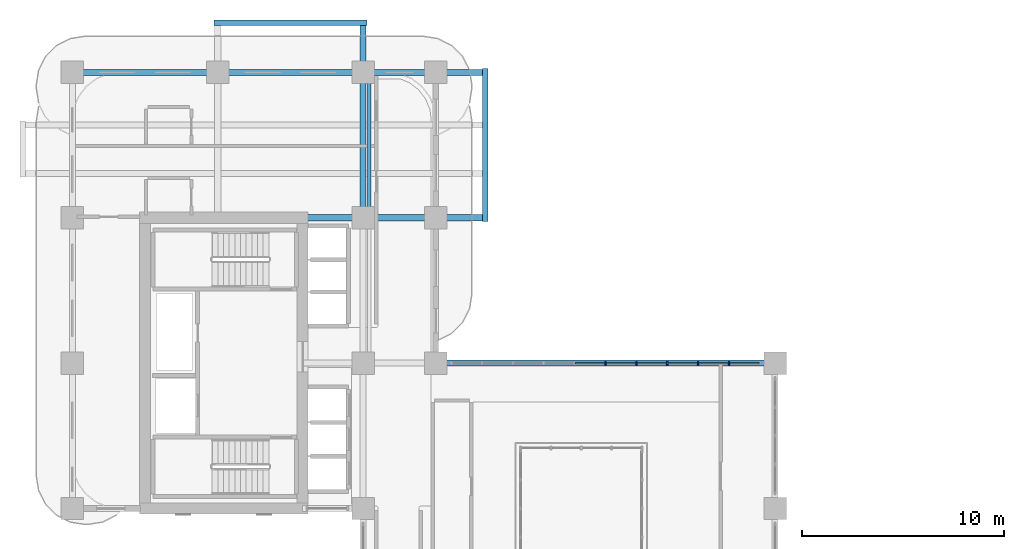
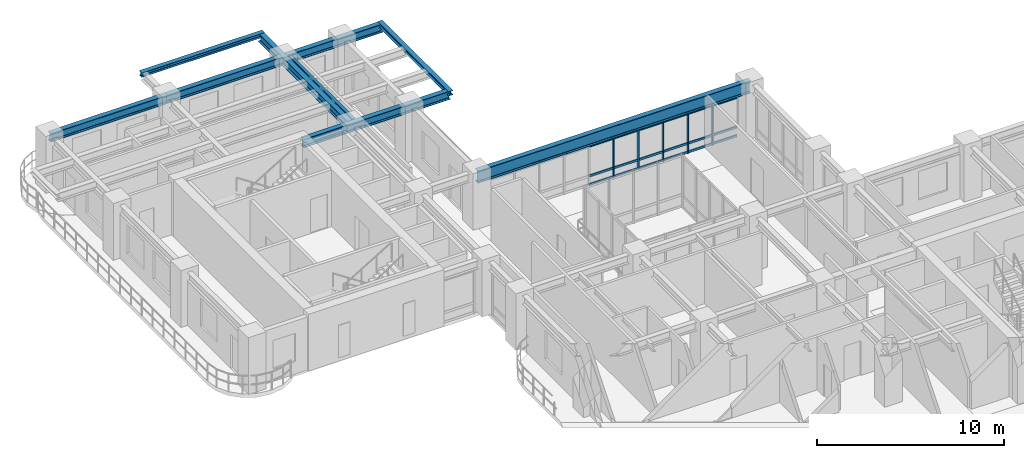
# One storey, part 7 of 22: 23 members, 8 beams, 1 element without a shape of its own.
"""IFC4 building model written with IfcOpenShell, lengths in metres."""

from ifc_helpers import new_model, si_unit, derived_unit, direction, frame, origin, origin_2d, place, context, subcontext, project, spatial, rectangle, i_section, extrude, source, transform, mapped, material, layer, layer_set, material_profile, profile_set, type_object, type_shapes, element, aggregate, save


model = new_model("IFC4")

# Units and contexts
model_context = context("Model", 3, precision=1e-05, world=origin(), true_north=direction((0.0, 1.0)))
body_context = subcontext(model_context, "Body", "Model", "MODEL_VIEW")
ifc_project = project(units=[si_unit("LENGTHUNIT", "METRE"), si_unit("AREAUNIT", "SQUARE_METRE"), si_unit("VOLUMEUNIT", "CUBIC_METRE"), si_unit("PLANEANGLEUNIT", "RADIAN"), si_unit("MASSUNIT", "GRAM", prefix="KILO"), si_unit("THERMODYNAMICTEMPERATUREUNIT", "KELVIN"), si_unit("POWERUNIT", "WATT"), derived_unit("THERMALTRANSMITTANCEUNIT", [(si_unit("POWERUNIT", "WATT"), 1), (si_unit("AREAUNIT", "SQUARE_METRE"), -1), (si_unit("THERMODYNAMICTEMPERATUREUNIT", "KELVIN"), -1)])], contexts=[model_context])

# Site, building, storey
site_placement = place(None, origin())
site = spatial("IfcSite", under=ifc_project, at=site_placement, CompositionType="ELEMENT")
building_placement = place(site_placement, origin())
building = spatial("IfcBuilding", under=site, at=building_placement, Name="Zahravan Archway Hotel and Residences", CompositionType="ELEMENT")
storey_placement = place(building_placement, frame((0.0, 0.0, 87.89990234375)))
storey = spatial("IfcBuildingStorey", under=building, at=storey_placement, Name="L21", CompositionType="ELEMENT", Elevation=87.89990234375)

# Beams
ifc_material_1 = material(Name="Structural Steel S355JR", Category="steel")
ifc_material_profile_1 = material_profile(ifc_material_1, i_section(OverallWidth=0.280029296875, OverallDepth=0.280029296875, WebThickness=0.010498046875, FlangeThickness=0.01806640625, FilletRadius=0.02392578125, at=origin_2d()), Name="HEB 280", Category="steel")
ifc_profile_set_1 = profile_set([ifc_material_profile_1], Name="Structural Steel S355JR")
beam_type_1 = type_object("IfcBeamType", Name="BM-SPN-HEB280", PredefinedType="SPANDREL", material=ifc_profile_set_1)
shared_shape_1 = source(origin(), body_context, "Body", "SweptSolid", [
    extrude(i_section(OverallWidth=0.280029296875, OverallDepth=0.280029296875, WebThickness=0.010498046875, FlangeThickness=0.01806640625, FilletRadius=0.02392578125, at=origin_2d()), origin(), (0.0, 0.0, 1.0), 7.56005859375),
])
type_shapes(beam_type_1, [shared_shape_1])
for number, where, z_axis, x_axis, name in (
    (1, (20.449951171875, 39.419921875, 3.31005859375), (0.0, 1.0, 0.0), (-1.0, 0.0, 0.0), "L22 EB Balcony Edge Spandrel"),
    (2, (7.02001953125, 49.25, 3.31005859375), (1.0, 0.0, 0.0), (0.0, 1.0, 0.0), "L22 NB Balcony Edge Spandrel"),
):
    element("IfcBeam", number, at=place(storey_placement, frame(where, z_axis=z_axis, x_axis=x_axis)), inside=storey, type_object=beam_type_1, Name=name, PredefinedType="SPANDREL", context=body_context, shape_type="MappedRepresentation", body=[
        mapped(shared_shape_1, transform((0.0, 0.0, 0.0), scale=1.0)),
    ])
ifc_material_profile_2 = material_profile(ifc_material_1, i_section(OverallWidth=0.300048828125, OverallDepth=0.550048828125, WebThickness=0.014892578125, FlangeThickness=0.029052734375, FilletRadius=0.027099609375, at=origin_2d()), Name="HEB 550", Category="steel")
ifc_profile_set_2 = profile_set([ifc_material_profile_2], Name="Structural Steel S355JR")
beam_type_2 = type_object("IfcBeamType", Name="BM-PRI-HEB550", PredefinedType="BEAM", material=ifc_profile_set_2)
shared_shape_2 = source(origin(), body_context, "Body", "SweptSolid", [
    extrude(i_section(OverallWidth=0.300048828125, OverallDepth=0.550048828125, WebThickness=0.014892578125, FlangeThickness=0.029052734375, FilletRadius=0.027099609375, at=origin_2d()), origin(), (0.0, 0.0, 1.0), 7.199951171875),
])
beam_1_placement = place(storey_placement, frame((0.0, 46.800048828125, 3.175048828125), z_axis=(1.0, 0.0, 0.0), x_axis=(0.0, 1.0, 0.0)))
element("IfcBeam", 3, at=beam_1_placement, inside=storey, type_object=beam_type_2, Name="L21 Primary Girder EW-24", PredefinedType="BEAM", context=body_context, shape_type="MappedRepresentation", body=[
    mapped(shared_shape_2, transform((0.0, 0.0, 0.0), scale=1.0)),
])
shared_shape_3 = source(origin(), body_context, "Body", "SweptSolid", [
    extrude(i_section(OverallWidth=0.300048828125, OverallDepth=0.550048828125, WebThickness=0.014892578125, FlangeThickness=0.029052734375, FilletRadius=0.027099609375, at=origin_2d()), origin(), (0.0, 0.0, 1.0), 9.050048828125),
])
beam_2_placement = place(storey_placement, frame((11.39990234375, 39.60009765625, 3.175048828125), z_axis=(1.0, 0.0, 0.0), x_axis=(0.0, 1.0, 0.0)))
element("IfcBeam", 4, at=beam_2_placement, inside=storey, type_object=beam_type_2, Name="L21 Primary Girder EW-23", PredefinedType="BEAM", context=body_context, shape_type="MappedRepresentation", body=[
    mapped(shared_shape_3, transform((0.0, 0.0, 0.0), scale=1.0)),
])
shared_shape_4 = source(origin(), body_context, "Body", "SweptSolid", [
    extrude(i_section(OverallWidth=0.300048828125, OverallDepth=0.550048828125, WebThickness=0.014892578125, FlangeThickness=0.029052734375, FilletRadius=0.027099609375, at=origin_2d()), origin(), (0.0, 0.0, 1.0), 13.25),
])
beam_3_placement = place(storey_placement, frame((7.199951171875, 46.800048828125, 3.175048828125), z_axis=(1.0, 0.0, 0.0), x_axis=(0.0, 1.0, 0.0)))
element("IfcBeam", 5, at=beam_3_placement, inside=storey, type_object=beam_type_2, Name="L21 Primary Girder EW-25", PredefinedType="BEAM", context=body_context, shape_type="MappedRepresentation", body=[
    mapped(shared_shape_4, transform((0.0, 0.0, 0.0), scale=1.0)),
])
shared_shape_5 = source(origin(), body_context, "Body", "SweptSolid", [
    extrude(i_section(OverallWidth=0.300048828125, OverallDepth=0.550048828125, WebThickness=0.014892578125, FlangeThickness=0.029052734375, FilletRadius=0.027099609375, at=origin_2d()), origin(), (0.0, 0.0, 1.0), 9.64990234375),
])
beam_4_placement = place(storey_placement, frame((14.39990234375, 39.60009765625, 3.175048828125), z_axis=(0.0, 1.0, 0.0), x_axis=(-1.0, 0.0, 0.0)))
element("IfcBeam", 6, at=beam_4_placement, inside=storey, type_object=beam_type_2, Name="L21 Primary Girder NS-38", PredefinedType="BEAM", context=body_context, shape_type="MappedRepresentation", body=[
    mapped(shared_shape_5, transform((0.0, 0.0, 0.0), scale=1.0)),
])
ifc_material_2 = material(Name="Structural Steel S355J2", Category="steel")
ifc_material_profile_3 = material_profile(ifc_material_2, i_section(OverallWidth=0.300048828125, OverallDepth=0.800048828125, WebThickness=0.017578125, FlangeThickness=0.032958984375, FilletRadius=0.030029296875, at=origin_2d()), Name="HEB 800", Category="steel")
ifc_profile_set_3 = profile_set([ifc_material_profile_3], Name="Structural Steel S355J2")
beam_type_3 = type_object("IfcBeamType", Name="BM-PRI-HEB800", PredefinedType="BEAM", material=ifc_profile_set_3)
shared_shape_6 = source(origin(), body_context, "Body", "SweptSolid", [
    extrude(i_section(OverallWidth=0.300048828125, OverallDepth=0.800048828125, WebThickness=0.017578125, FlangeThickness=0.032958984375, FilletRadius=0.030029296875, at=origin_2d()), origin(), (0.0, 0.0, 1.0), 16.800048828125),
])
type_shapes(beam_type_3, [shared_shape_6])
beam_5_placement = place(storey_placement, frame((18.0, 32.39990234375, 3.050048828125), z_axis=(1.0, 0.0, 0.0), x_axis=(0.0, 1.0, 0.0)))
element("IfcBeam", 7, at=beam_5_placement, inside=storey, type_object=beam_type_3, Name="L21 Primary Girder EW-22", PredefinedType="BEAM", context=body_context, shape_type="MappedRepresentation", body=[
    mapped(shared_shape_6, transform((0.0, 0.0, 0.0), scale=1.0)),
])
ifc_material_profile_4 = material_profile(ifc_material_1, i_section(OverallWidth=0.169921875, OverallDepth=0.360107421875, WebThickness=0.008056640625, FlangeThickness=0.0126953125, FilletRadius=0.01806640625, at=origin_2d()), Name="IPE 360", Category="steel")
ifc_profile_set_4 = profile_set([ifc_material_profile_4], Name="Structural Steel S355JR")
beam_type_4 = type_object("IfcBeamType", Name="BM-JST-IPE360", PredefinedType="JOIST", material=ifc_profile_set_4)
shared_shape_7 = source(origin(), body_context, "Body", "SweptSolid", [
    extrude(i_section(OverallWidth=0.169921875, OverallDepth=0.360107421875, WebThickness=0.008056640625, FlangeThickness=0.0126953125, FilletRadius=0.01806640625, at=origin_2d()), origin(), (0.0, 0.0, 1.0), 6.904052734375),
])
type_shapes(beam_type_4, [shared_shape_7])
beam_6_placement = place(storey_placement, frame((14.699951171875, 39.748046875, 3.27001953125), z_axis=(0.0, 1.0, 0.0), x_axis=(-1.0, 0.0, 0.0)))
element("IfcBeam", 8, at=beam_6_placement, inside=storey, type_object=beam_type_4, Name="L21 Composite Floor Joist 14", PredefinedType="JOIST", context=body_context, shape_type="MappedRepresentation", body=[
    mapped(shared_shape_7, transform((0.0, 0.0, 0.0), scale=1.0)),
])

# Curtain wall, members
ifc_material_3 = material(Name="Bronze-Anodized Unitised Aluminium & Low-E Glass", Category="aluminium")
ifc_layer = layer(ifc_material_3, 0.179931640625, Name="Bronze-Anodized Unitised Aluminium & Low-E Glass", Category="aluminium")
ifc_layer_set = layer_set([ifc_layer], Name="Bronze-Anodized Unitised Aluminium & Low-E Glass")
curtain_wall_type = type_object("IfcCurtainWallType", Name="CW-ATR-GLAZ", PredefinedType="NOTDEFINED", material=ifc_layer_set)
curtain_wall_placement = place(storey_placement, origin())
curtain_wall = element("IfcCurtainWall", 9, at=curtain_wall_placement, inside=storey, type_object=curtain_wall_type, Name="L21 Curtain Wall CW-L21-HNG-N-1", PredefinedType="NOTDEFINED")
ifc_material_4 = material(Name="Bronze-Anodized Extruded Aluminium", Category="aluminium")
ifc_material_profile_5 = material_profile(ifc_material_4, rectangle(XDim=0.080078125, YDim=0.159912109375, at=origin_2d()), Name="MUL 80x160", Category="aluminium")
ifc_profile_set_5 = profile_set([ifc_material_profile_5], Name="Bronze-Anodized Extruded Aluminium")
member_type_1 = type_object("IfcMemberType", Name="CWM-MUL-160", PredefinedType="MULLION", material=ifc_profile_set_5)
shared_shape_8 = source(origin(), body_context, "Body", "SweptSolid", [
    extrude(rectangle(XDim=0.080078125, YDim=0.159912109375, at=origin_2d()), origin(), (0.0, 0.0, 1.0), 2.635009765625),
])
member_1_placement = place(storey_placement, frame((26.39990234375, 32.39990234375, 0.0), z_axis=(0.0, 0.0, 1.0), x_axis=(1.0, 0.0, 0.0)))
member_1 = element("IfcMember", 10, at=member_1_placement, type_object=member_type_1, Name="CW-L21-HNG-N-1 Mullion 5", PredefinedType="MULLION", context=body_context, shape_type="MappedRepresentation", body=[
    mapped(shared_shape_8, transform((0.0, 0.0, 0.0), scale=1.0)),
])
member_2_placement = place(storey_placement, frame((27.927978515625, 32.39990234375, 0.0), z_axis=(0.0, 0.0, 1.0), x_axis=(1.0, 0.0, 0.0)))
member_2 = element("IfcMember", 11, at=member_2_placement, type_object=member_type_1, Name="CW-L21-HNG-N-1 Mullion 6", PredefinedType="MULLION", context=body_context, shape_type="MappedRepresentation", body=[
    mapped(shared_shape_8, transform((0.0, 0.0, 0.0), scale=1.0)),
])
member_3_placement = place(storey_placement, frame((29.4560546875, 32.39990234375, 0.0), z_axis=(0.0, 0.0, 1.0), x_axis=(1.0, 0.0, 0.0)))
member_3 = element("IfcMember", 12, at=member_3_placement, type_object=member_type_1, Name="CW-L21-HNG-N-1 Mullion 7", PredefinedType="MULLION", context=body_context, shape_type="MappedRepresentation", body=[
    mapped(shared_shape_8, transform((0.0, 0.0, 0.0), scale=1.0)),
])
member_4_placement = place(storey_placement, frame((30.98388671875, 32.39990234375, 0.0), z_axis=(0.0, 0.0, 1.0), x_axis=(1.0, 0.0, 0.0)))
member_4 = element("IfcMember", 13, at=member_4_placement, type_object=member_type_1, Name="CW-L21-HNG-N-1 Mullion 8", PredefinedType="MULLION", context=body_context, shape_type="MappedRepresentation", body=[
    mapped(shared_shape_8, transform((0.0, 0.0, 0.0), scale=1.0)),
])
member_5_placement = place(storey_placement, frame((32.511962890625, 32.39990234375, 0.0), z_axis=(0.0, 0.0, 1.0), x_axis=(1.0, 0.0, 0.0)))
member_5 = element("IfcMember", 14, at=member_5_placement, type_object=member_type_1, Name="CW-L21-HNG-N-1 Mullion 9", PredefinedType="MULLION", context=body_context, shape_type="MappedRepresentation", body=[
    mapped(shared_shape_8, transform((0.0, 0.0, 0.0), scale=1.0)),
])
ifc_material_profile_6 = material_profile(ifc_material_4, rectangle(XDim=0.080078125, YDim=0.139892578125, at=origin_2d()), Name="TRN 80x140", Category="aluminium")
ifc_profile_set_6 = profile_set([ifc_material_profile_6], Name="Bronze-Anodized Extruded Aluminium")
member_type_2 = type_object("IfcMemberType", Name="CWM-TRN-140", PredefinedType="USERDEFINED", material=ifc_profile_set_6)
shared_shape_9 = source(origin(), body_context, "Body", "SweptSolid", [
    extrude(rectangle(XDim=0.080078125, YDim=0.139892578125, at=origin_2d()), origin(), (0.0, 0.0, 1.0), 1.447998046875),
])
member_6_placement = place(storey_placement, frame((24.912109375, 32.39990234375, 0.070068359375), z_axis=(1.0, 0.0, 0.0), x_axis=(0.0, 1.0, 0.0)))
member_6 = element("IfcMember", 15, at=member_6_placement, type_object=member_type_2, Name="CW-L21-HNG-N-1 Transom 4-1", ObjectType="TRANSOM", PredefinedType="USERDEFINED", context=body_context, shape_type="MappedRepresentation", body=[
    mapped(shared_shape_9, transform((0.0, 0.0, 0.0), scale=1.0)),
])
member_7_placement = place(storey_placement, frame((24.912109375, 32.39990234375, 0.632568359375), z_axis=(1.0, 0.0, 0.0), x_axis=(0.0, 1.0, 0.0)))
member_7 = element("IfcMember", 16, at=member_7_placement, type_object=member_type_2, Name="CW-L21-HNG-N-1 Transom 4-2", ObjectType="TRANSOM", PredefinedType="USERDEFINED", context=body_context, shape_type="MappedRepresentation", body=[
    mapped(shared_shape_9, transform((0.0, 0.0, 0.0), scale=1.0)),
])
member_8_placement = place(storey_placement, frame((24.912109375, 32.39990234375, 2.565185546875), z_axis=(1.0, 0.0, 0.0), x_axis=(0.0, 1.0, 0.0)))
member_8 = element("IfcMember", 17, at=member_8_placement, type_object=member_type_2, Name="CW-L21-HNG-N-1 Transom 4-3", ObjectType="TRANSOM", PredefinedType="USERDEFINED", context=body_context, shape_type="MappedRepresentation", body=[
    mapped(shared_shape_9, transform((0.0, 0.0, 0.0), scale=1.0)),
])
member_9_placement = place(storey_placement, frame((26.43994140625, 32.39990234375, 0.070068359375), z_axis=(1.0, 0.0, 0.0), x_axis=(0.0, 1.0, 0.0)))
member_9 = element("IfcMember", 18, at=member_9_placement, type_object=member_type_2, Name="CW-L21-HNG-N-1 Transom 5-1", ObjectType="TRANSOM", PredefinedType="USERDEFINED", context=body_context, shape_type="MappedRepresentation", body=[
    mapped(shared_shape_9, transform((0.0, 0.0, 0.0), scale=1.0)),
])
member_10_placement = place(storey_placement, frame((26.43994140625, 32.39990234375, 0.632568359375), z_axis=(1.0, 0.0, 0.0), x_axis=(0.0, 1.0, 0.0)))
member_10 = element("IfcMember", 19, at=member_10_placement, type_object=member_type_2, Name="CW-L21-HNG-N-1 Transom 5-2", ObjectType="TRANSOM", PredefinedType="USERDEFINED", context=body_context, shape_type="MappedRepresentation", body=[
    mapped(shared_shape_9, transform((0.0, 0.0, 0.0), scale=1.0)),
])
member_11_placement = place(storey_placement, frame((26.43994140625, 32.39990234375, 2.565185546875), z_axis=(1.0, 0.0, 0.0), x_axis=(0.0, 1.0, 0.0)))
member_11 = element("IfcMember", 20, at=member_11_placement, type_object=member_type_2, Name="CW-L21-HNG-N-1 Transom 5-3", ObjectType="TRANSOM", PredefinedType="USERDEFINED", context=body_context, shape_type="MappedRepresentation", body=[
    mapped(shared_shape_9, transform((0.0, 0.0, 0.0), scale=1.0)),
])
member_12_placement = place(storey_placement, frame((27.968017578125, 32.39990234375, 0.070068359375), z_axis=(1.0, 0.0, 0.0), x_axis=(0.0, 1.0, 0.0)))
member_12 = element("IfcMember", 21, at=member_12_placement, type_object=member_type_2, Name="CW-L21-HNG-N-1 Transom 6-1", ObjectType="TRANSOM", PredefinedType="USERDEFINED", context=body_context, shape_type="MappedRepresentation", body=[
    mapped(shared_shape_9, transform((0.0, 0.0, 0.0), scale=1.0)),
])
member_13_placement = place(storey_placement, frame((27.968017578125, 32.39990234375, 0.632568359375), z_axis=(1.0, 0.0, 0.0), x_axis=(0.0, 1.0, 0.0)))
member_13 = element("IfcMember", 22, at=member_13_placement, type_object=member_type_2, Name="CW-L21-HNG-N-1 Transom 6-2", ObjectType="TRANSOM", PredefinedType="USERDEFINED", context=body_context, shape_type="MappedRepresentation", body=[
    mapped(shared_shape_9, transform((0.0, 0.0, 0.0), scale=1.0)),
])
member_14_placement = place(storey_placement, frame((27.968017578125, 32.39990234375, 2.565185546875), z_axis=(1.0, 0.0, 0.0), x_axis=(0.0, 1.0, 0.0)))
member_14 = element("IfcMember", 23, at=member_14_placement, type_object=member_type_2, Name="CW-L21-HNG-N-1 Transom 6-3", ObjectType="TRANSOM", PredefinedType="USERDEFINED", context=body_context, shape_type="MappedRepresentation", body=[
    mapped(shared_shape_9, transform((0.0, 0.0, 0.0), scale=1.0)),
])
member_15_placement = place(storey_placement, frame((29.49609375, 32.39990234375, 0.070068359375), z_axis=(1.0, 0.0, 0.0), x_axis=(0.0, 1.0, 0.0)))
member_15 = element("IfcMember", 24, at=member_15_placement, type_object=member_type_2, Name="CW-L21-HNG-N-1 Transom 7-1", ObjectType="TRANSOM", PredefinedType="USERDEFINED", context=body_context, shape_type="MappedRepresentation", body=[
    mapped(shared_shape_9, transform((0.0, 0.0, 0.0), scale=1.0)),
])
member_16_placement = place(storey_placement, frame((29.49609375, 32.39990234375, 0.632568359375), z_axis=(1.0, 0.0, 0.0), x_axis=(0.0, 1.0, 0.0)))
member_16 = element("IfcMember", 25, at=member_16_placement, type_object=member_type_2, Name="CW-L21-HNG-N-1 Transom 7-2", ObjectType="TRANSOM", PredefinedType="USERDEFINED", context=body_context, shape_type="MappedRepresentation", body=[
    mapped(shared_shape_9, transform((0.0, 0.0, 0.0), scale=1.0)),
])
member_17_placement = place(storey_placement, frame((29.49609375, 32.39990234375, 2.565185546875), z_axis=(1.0, 0.0, 0.0), x_axis=(0.0, 1.0, 0.0)))
member_17 = element("IfcMember", 26, at=member_17_placement, type_object=member_type_2, Name="CW-L21-HNG-N-1 Transom 7-3", ObjectType="TRANSOM", PredefinedType="USERDEFINED", context=body_context, shape_type="MappedRepresentation", body=[
    mapped(shared_shape_9, transform((0.0, 0.0, 0.0), scale=1.0)),
])
member_18_placement = place(storey_placement, frame((31.02392578125, 32.39990234375, 0.070068359375), z_axis=(1.0, 0.0, 0.0), x_axis=(0.0, 1.0, 0.0)))
member_18 = element("IfcMember", 27, at=member_18_placement, type_object=member_type_2, Name="CW-L21-HNG-N-1 Transom 8-1", ObjectType="TRANSOM", PredefinedType="USERDEFINED", context=body_context, shape_type="MappedRepresentation", body=[
    mapped(shared_shape_9, transform((0.0, 0.0, 0.0), scale=1.0)),
])
member_19_placement = place(storey_placement, frame((31.02392578125, 32.39990234375, 0.632568359375), z_axis=(1.0, 0.0, 0.0), x_axis=(0.0, 1.0, 0.0)))
member_19 = element("IfcMember", 28, at=member_19_placement, type_object=member_type_2, Name="CW-L21-HNG-N-1 Transom 8-2", ObjectType="TRANSOM", PredefinedType="USERDEFINED", context=body_context, shape_type="MappedRepresentation", body=[
    mapped(shared_shape_9, transform((0.0, 0.0, 0.0), scale=1.0)),
])
member_20_placement = place(storey_placement, frame((31.02392578125, 32.39990234375, 2.565185546875), z_axis=(1.0, 0.0, 0.0), x_axis=(0.0, 1.0, 0.0)))
member_20 = element("IfcMember", 29, at=member_20_placement, type_object=member_type_2, Name="CW-L21-HNG-N-1 Transom 8-3", ObjectType="TRANSOM", PredefinedType="USERDEFINED", context=body_context, shape_type="MappedRepresentation", body=[
    mapped(shared_shape_9, transform((0.0, 0.0, 0.0), scale=1.0)),
])
member_21_placement = place(storey_placement, frame((32.552001953125, 32.39990234375, 0.070068359375), z_axis=(1.0, 0.0, 0.0), x_axis=(0.0, 1.0, 0.0)))
member_21 = element("IfcMember", 30, at=member_21_placement, type_object=member_type_2, Name="CW-L21-HNG-N-1 Transom 9-1", ObjectType="TRANSOM", PredefinedType="USERDEFINED", context=body_context, shape_type="MappedRepresentation", body=[
    mapped(shared_shape_9, transform((0.0, 0.0, 0.0), scale=1.0)),
])
member_22_placement = place(storey_placement, frame((32.552001953125, 32.39990234375, 0.632568359375), z_axis=(1.0, 0.0, 0.0), x_axis=(0.0, 1.0, 0.0)))
member_22 = element("IfcMember", 31, at=member_22_placement, type_object=member_type_2, Name="CW-L21-HNG-N-1 Transom 9-2", ObjectType="TRANSOM", PredefinedType="USERDEFINED", context=body_context, shape_type="MappedRepresentation", body=[
    mapped(shared_shape_9, transform((0.0, 0.0, 0.0), scale=1.0)),
])
member_23_placement = place(storey_placement, frame((32.552001953125, 32.39990234375, 2.565185546875), z_axis=(1.0, 0.0, 0.0), x_axis=(0.0, 1.0, 0.0)))
member_23 = element("IfcMember", 32, at=member_23_placement, type_object=member_type_2, Name="CW-L21-HNG-N-1 Transom 9-3", ObjectType="TRANSOM", PredefinedType="USERDEFINED", context=body_context, shape_type="MappedRepresentation", body=[
    mapped(shared_shape_9, transform((0.0, 0.0, 0.0), scale=1.0)),
])
aggregate(curtain_wall, [member_1, member_2, member_3, member_4, member_5, member_6, member_7, member_8, member_9, member_10, member_11, member_12, member_13, member_14, member_15, member_16, member_17, member_18, member_19, member_20, member_21, member_22, member_23])

save(model, "model.ifc")
